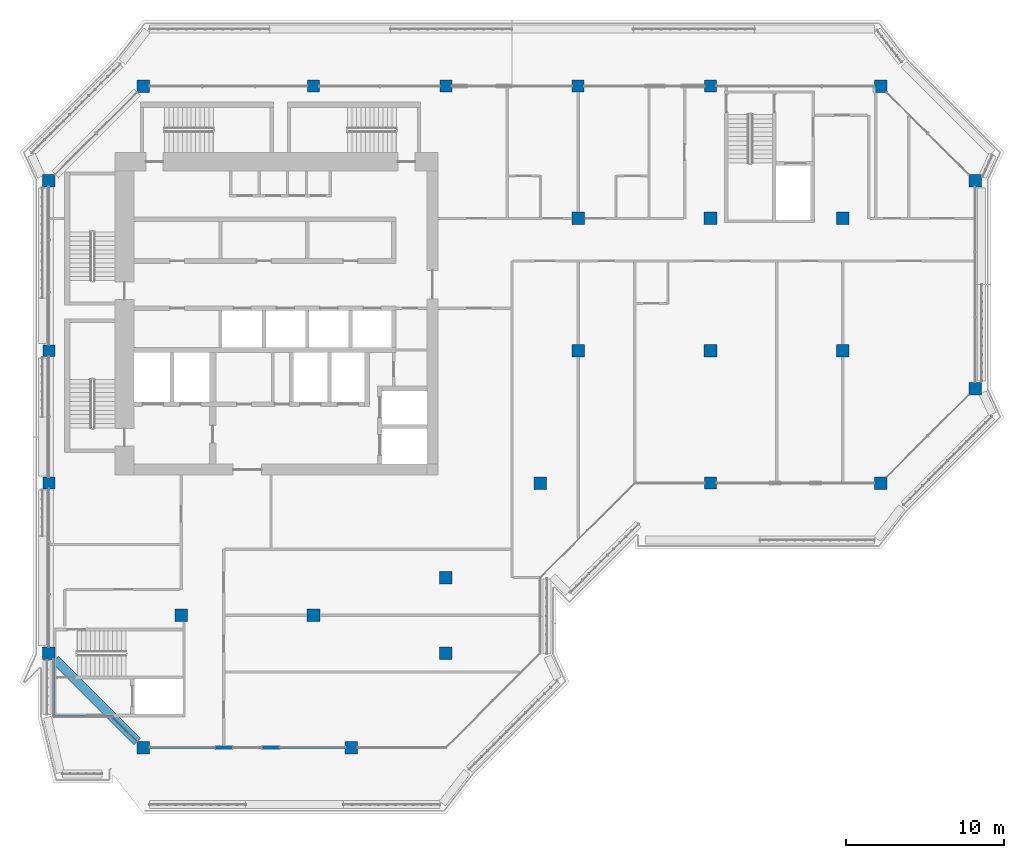
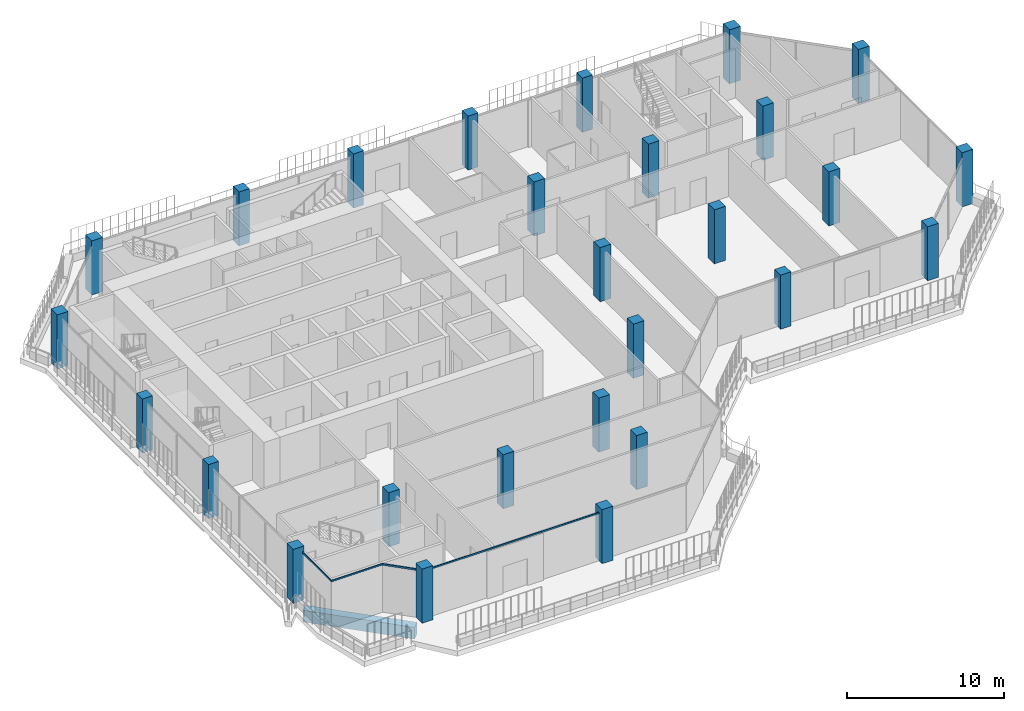
# One storey, part 1 of 20: 27 columns, 4 members, 1 beam, 4 elements without a shape of their own.
"""IFC4 building model written with IfcOpenShell, lengths in metres."""

from ifc_helpers import new_model, si_unit, direction, frame, origin, origin_2d, place, context, subcontext, project, spatial, rectangle, extrude, material, layer, layer_set, material_profile, profile_set, type_object, element, aggregate, save


model = new_model("IFC4")

# Units and contexts
model_context = context("Model", 3, precision=1e-05, world=origin(), true_north=direction((0.0, 1.0)))
body_context = subcontext(model_context, "Body", "Model", "MODEL_VIEW")
ifc_project = project(units=[si_unit("LENGTHUNIT", "METRE"), si_unit("AREAUNIT", "SQUARE_METRE"), si_unit("VOLUMEUNIT", "CUBIC_METRE"), si_unit("PLANEANGLEUNIT", "RADIAN"), si_unit("MASSUNIT", "GRAM", prefix="KILO")], contexts=[model_context])

# Site, building, storey
site_placement = place(None, origin())
site = spatial("IfcSite", under=ifc_project, at=site_placement, CompositionType="ELEMENT")
building_placement = place(site_placement, origin())
building = spatial("IfcBuilding", under=site, at=building_placement, Name="Kawkab Arch Medical Tower", CompositionType="ELEMENT")
storey_placement = place(building_placement, frame((0.0, 0.0, 328.0)))
storey = spatial("IfcBuildingStorey", under=building, at=storey_placement, Name="L76", CompositionType="ELEMENT", Elevation=328.0)

# Columns
ifc_material_1 = material(Name="Concrete C40/50", Category="concrete")
ifc_material_profile_1 = material_profile(ifc_material_1, rectangle(XDim=0.75, YDim=0.75, at=origin_2d()), Name="RC 750x750")
ifc_profile_set_1 = profile_set([ifc_material_profile_1], Name="Concrete C40/50")
column_type_1 = type_object("IfcColumnType", Name="RC 750x750 column C40/50", PredefinedType="COLUMN", material=ifc_profile_set_1)
for number, where, z_axis, x_axis, name in (
    (1, (16.800048828125, 0.0, 0.0), (0.0, 0.0, 1.0), (1.0, 0.0, 0.0), "Column RC 750x750"),
    (2, (25.199951171875, 0.0, 0.0), (0.0, 0.0, 1.0), (1.0, 0.0, 0.0), "Column RC 750x750"),
    (3, (33.60009765625, 0.0, 0.0), (0.0, 0.0, 1.0), (1.0, 0.0, 0.0), "Column RC 750x750"),
    (4, (42.0, 0.0, 0.0), (0.0, 0.0, 1.0), (1.0, 0.0, 0.0), "Column RC 750x750"),
    (5, (0.0, -16.800048828125, 0.0), (0.0, 0.0, 1.0), (1.0, 0.0, 0.0), "Column RC 750x750"),
    (6, (0.0, -25.199951171875, 0.0), (0.0, 0.0, 1.0), (1.0, 0.0, 0.0), "Column RC 750x750"),
    (7, (42.0, -25.199951171875, 0.0), (0.0, 0.0, 1.0), (1.0, 0.0, 0.0), "Column RC 750x750"),
):
    element("IfcColumn", number, at=place(storey_placement, frame(where, z_axis=z_axis, x_axis=x_axis)), inside=storey, type_object=column_type_1, Name=name, PredefinedType="COLUMN", context=body_context, shape_type="SweptSolid", body=[
        extrude(rectangle(XDim=0.75, YDim=0.75, at=origin_2d()), origin(), (0.0, 0.0, 1.0), 4.199951171875),
    ])
ifc_material_2 = material(Name="Concrete C40/50", Category="concrete")
ifc_material_profile_2 = material_profile(ifc_material_2, rectangle(XDim=0.800048828125, YDim=0.800048828125, at=origin_2d()), Name="RC 800x800")
ifc_profile_set_2 = profile_set([ifc_material_profile_2], Name="Concrete C40/50")
column_type_2 = type_object("IfcColumnType", Name="RC 800x800 column C40/50", PredefinedType="COLUMN", material=ifc_profile_set_2)
for number, where, z_axis, x_axis, name in (
    (8, (6.0, 0.0, 0.0), (0.0, 0.0, 1.0), (1.0, 0.0, 0.0), "Column RC 800x800"),
    (9, (52.800048828125, 0.0, 0.0), (0.0, 0.0, 1.0), (1.0, 0.0, 0.0), "Column RC 800x800"),
    (10, (0.0, -6.0, 0.0), (0.0, 0.0, 1.0), (1.0, 0.0, 0.0), "Column RC 800x800"),
    (11, (58.800048828125, -6.0, 0.0), (0.0, 0.0, 1.0), (1.0, 0.0, 0.0), "Column RC 800x800"),
    (12, (33.60009765625, -8.39990234375, 0.0), (0.0, 0.0, 1.0), (1.0, 0.0, 0.0), "Column RC 800x800"),
    (13, (42.0, -8.39990234375, 0.0), (0.0, 0.0, 1.0), (1.0, 0.0, 0.0), "Column RC 800x800"),
    (14, (50.39990234375, -8.39990234375, 0.0), (0.0, 0.0, 1.0), (1.0, 0.0, 0.0), "Column RC 800x800"),
    (15, (33.60009765625, -16.800048828125, 0.0), (0.0, 0.0, 1.0), (1.0, 0.0, 0.0), "Column RC 800x800"),
    (16, (42.0, -16.800048828125, 0.0), (0.0, 0.0, 1.0), (1.0, 0.0, 0.0), "Column RC 800x800"),
    (17, (50.39990234375, -16.800048828125, 0.0), (0.0, 0.0, 1.0), (1.0, 0.0, 0.0), "Column RC 800x800"),
    (18, (58.800048828125, -19.199951171875, 0.0), (0.0, 0.0, 1.0), (1.0, 0.0, 0.0), "Column RC 800x800"),
    (19, (31.199951171875, -25.199951171875, 0.0), (0.0, 0.0, 1.0), (1.0, 0.0, 0.0), "Column RC 800x800"),
    (20, (52.800048828125, -25.199951171875, 0.0), (0.0, 0.0, 1.0), (1.0, 0.0, 0.0), "Column RC 800x800"),
    (21, (25.199951171875, -31.199951171875, 0.0), (0.0, 0.0, 1.0), (1.0, 0.0, 0.0), "Column RC 800x800"),
    (22, (8.39990234375, -33.60009765625, 0.0), (0.0, 0.0, 1.0), (1.0, 0.0, 0.0), "Column RC 800x800"),
    (23, (16.800048828125, -33.60009765625, 0.0), (0.0, 0.0, 1.0), (1.0, 0.0, 0.0), "Column RC 800x800"),
    (24, (0.0, -36.0, 0.0), (0.0, 0.0, 1.0), (1.0, 0.0, 0.0), "Column RC 800x800"),
    (25, (25.199951171875, -36.0, 0.0), (0.0, 0.0, 1.0), (1.0, 0.0, 0.0), "Column RC 800x800"),
    (26, (6.0, -42.0, 0.0), (0.0, 0.0, 1.0), (1.0, 0.0, 0.0), "Column RC 800x800"),
    (27, (19.199951171875, -42.0, 0.0), (0.0, 0.0, 1.0), (1.0, 0.0, 0.0), "Column RC 800x800"),
):
    element("IfcColumn", number, at=place(storey_placement, frame(where, z_axis=z_axis, x_axis=x_axis)), inside=storey, type_object=column_type_2, Name=name, PredefinedType="COLUMN", context=body_context, shape_type="SweptSolid", body=[
        extrude(rectangle(XDim=0.800048828125, YDim=0.800048828125, at=origin_2d()), origin(), (0.0, 0.0, 1.0), 4.199951171875),
    ])

# Curtain wall, member
ifc_material_3 = material(Name="Bronze anodised aluminium curtain wall frame", Category="aluminium")
ifc_layer_1 = layer(ifc_material_3, 0.159912109375)
ifc_layer_set_1 = layer_set([ifc_layer_1], Name="Bronze anodised aluminium curtain wall frame")
curtain_wall_type_1 = type_object("IfcCurtainWallType", Name="CW1 ward curtain wall", PredefinedType="NOTDEFINED", material=ifc_layer_set_1)
placement = place(storey_placement, origin())
curtain_wall_1 = element("IfcCurtainWall", 28, at=placement, inside=storey, type_object=curtain_wall_type_1, Name="CW1 Ward curtain wall R04", PredefinedType="NOTDEFINED")
ifc_material_4 = material(Name="Bronze anodised aluminium curtain wall frame", Category="aluminium")
ifc_material_profile_3 = material_profile(ifc_material_4, rectangle(XDim=0.06005859375, YDim=0.1201171875, at=origin_2d()), Name="AL 60x120")
ifc_profile_set_3 = profile_set([ifc_material_profile_3], Name="Bronze anodised aluminium curtain wall frame")
member_type_1 = type_object("IfcMemberType", Name="CW1 transom 120 x 60", PredefinedType="USERDEFINED", material=ifc_profile_set_3)
member_1_placement = place(storey_placement, frame((0.300048828125, -36.39990234375, 3.719970703125), z_axis=(0.0, -1.0, 0.0), x_axis=(1.0, 0.0, 0.0)))
member_1 = element("IfcMember", 29, at=member_1_placement, type_object=member_type_1, Name="CW1 transom 1", ObjectType="TRANSOM", PredefinedType="USERDEFINED", context=body_context, shape_type="SweptSolid", body=[
    extrude(rectangle(XDim=0.06005859375, YDim=0.1201171875, at=origin_2d()), origin(), (0.0, 0.0, 1.0), 3.650146484375),
])
aggregate(curtain_wall_1, [member_1])

curtain_wall_2 = element("IfcCurtainWall", 30, at=placement, inside=storey, type_object=curtain_wall_type_1, Name="CW1 Ward curtain wall R05", PredefinedType="NOTDEFINED")
member_2_placement = place(storey_placement, frame((0.300048828125, -40.050048828125, 3.719970703125), z_axis=(1.0, 0.0, 0.0), x_axis=(0.0, 1.0, 0.0)))
member_2 = element("IfcMember", 31, at=member_2_placement, type_object=member_type_1, Name="CW1 transom 1", ObjectType="TRANSOM", PredefinedType="USERDEFINED", context=body_context, shape_type="SweptSolid", body=[
    extrude(rectangle(XDim=0.06005859375, YDim=0.1201171875, at=origin_2d()), origin(), (0.0, 0.0, 1.0), 3.75),
])
aggregate(curtain_wall_2, [member_2])

curtain_wall_3 = element("IfcCurtainWall", 32, at=placement, inside=storey, type_object=curtain_wall_type_1, Name="CW1 Ward curtain wall R07", PredefinedType="NOTDEFINED")
member_3_placement = place(storey_placement, frame((6.39990234375, -42.0, 3.719970703125), z_axis=(1.0, 0.0, 0.0), x_axis=(0.0, 1.0, 0.0)))
member_3 = element("IfcMember", 33, at=member_3_placement, type_object=member_type_1, Name="CW1 transom 1", ObjectType="TRANSOM", PredefinedType="USERDEFINED", context=body_context, shape_type="SweptSolid", body=[
    extrude(rectangle(XDim=0.06005859375, YDim=0.1201171875, at=origin_2d()), origin(), (0.0, 0.0, 1.0), 12.400146484375),
])
aggregate(curtain_wall_3, [member_3])

ifc_material_5 = material(Name="Bronze anodised aluminium curtain wall frame", Category="aluminium")
ifc_layer_2 = layer(ifc_material_5, 0.159912109375)
ifc_layer_set_2 = layer_set([ifc_layer_2], Name="Bronze anodised aluminium curtain wall frame")
curtain_wall_type_2 = type_object("IfcCurtainWallType", Name="CW2 chamfer curtain wall", PredefinedType="NOTDEFINED", material=ifc_layer_set_2)
curtain_wall_4 = element("IfcCurtainWall", 34, at=placement, inside=storey, type_object=curtain_wall_type_2, Name="CW2 Chamfer curtain wall R06", PredefinedType="NOTDEFINED")
ifc_material_6 = material(Name="Bronze anodised aluminium curtain wall frame", Category="aluminium")
ifc_material_profile_4 = material_profile(ifc_material_6, rectangle(XDim=0.06005859375, YDim=0.139892578125, at=origin_2d()), Name="AL 60x140")
ifc_profile_set_4 = profile_set([ifc_material_profile_4], Name="Bronze anodised aluminium curtain wall frame")
member_type_2 = type_object("IfcMemberType", Name="CW2 transom 140 x 60", PredefinedType="USERDEFINED", material=ifc_profile_set_4)
member_4_placement = place(storey_placement, frame((4.050048828125, -40.050048828125, 3.7099609375), z_axis=(0.707106781187, -0.707106781187, 0.0), x_axis=(0.707106781187, 0.707106781187, 0.0)))
member_4 = element("IfcMember", 35, at=member_4_placement, type_object=member_type_2, Name="CW2 transom 1", ObjectType="TRANSOM", PredefinedType="USERDEFINED", context=body_context, shape_type="SweptSolid", body=[
    extrude(rectangle(XDim=0.06005859375, YDim=0.139892578125, at=origin_2d()), origin(), (0.0, 0.0, 1.0), 2.192138671875),
])
aggregate(curtain_wall_4, [member_4])

# Beam
ifc_material_7 = material(Name="Concrete C40/50", Category="concrete")
ifc_material_profile_5 = material_profile(ifc_material_7, rectangle(XDim=0.60009765625, YDim=0.89990234375, at=origin_2d()), Name="RC 600x900")
ifc_profile_set_5 = profile_set([ifc_material_profile_5], Name="Concrete C40/50")
beam_type = type_object("IfcBeamType", Name="RC 600x900 beam C40/50", PredefinedType="BEAM", material=ifc_profile_set_5)
beam_placement = place(storey_placement, frame((5.60009765625, -41.60009765625, -1.050048828125), z_axis=(-0.707106781187, 0.707106781187, 0.0), x_axis=(-0.707106781187, -0.707106781187, 0.0)))
element("IfcBeam", 36, at=beam_placement, inside=storey, type_object=beam_type, Name="Overhang edge beam L76-02", PredefinedType="BEAM", context=body_context, shape_type="SweptSolid", body=[
    extrude(rectangle(XDim=0.60009765625, YDim=0.89990234375, at=origin_2d()), origin(), (0.0, 0.0, 1.0), 7.354248046875),
])

save(model, "model.ifc")
